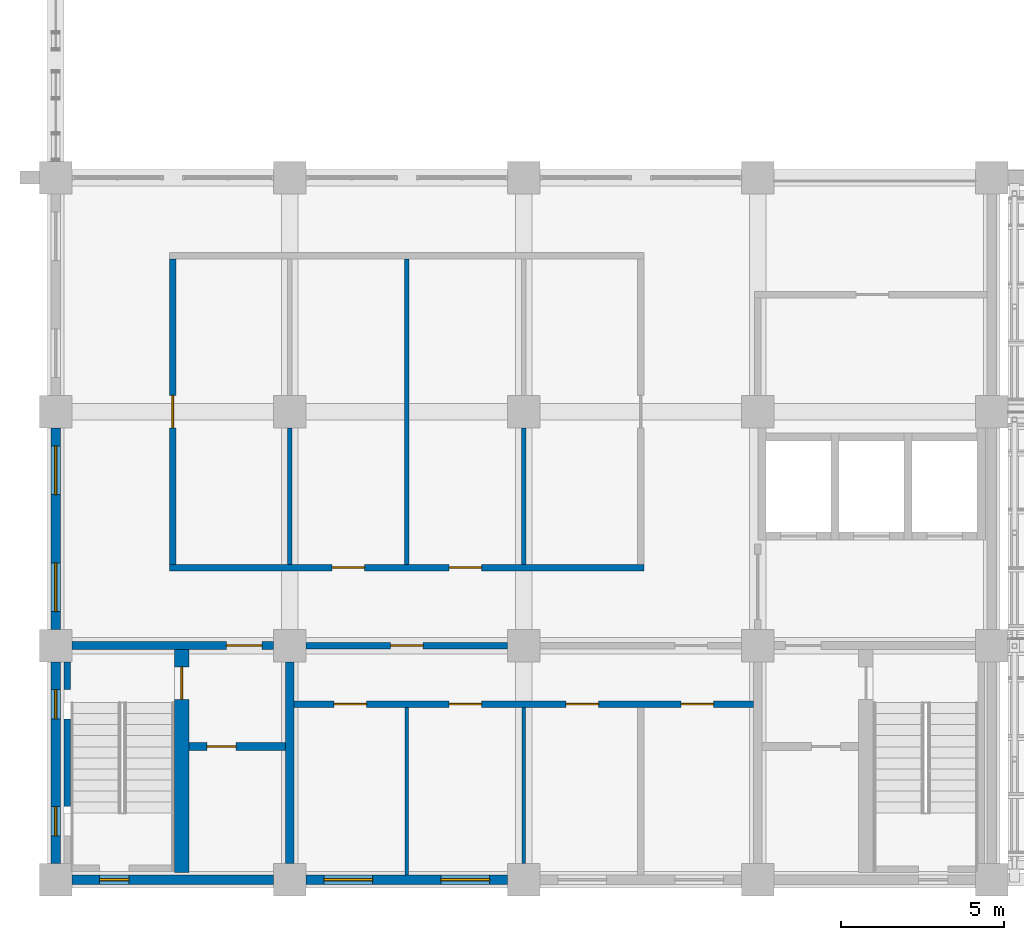
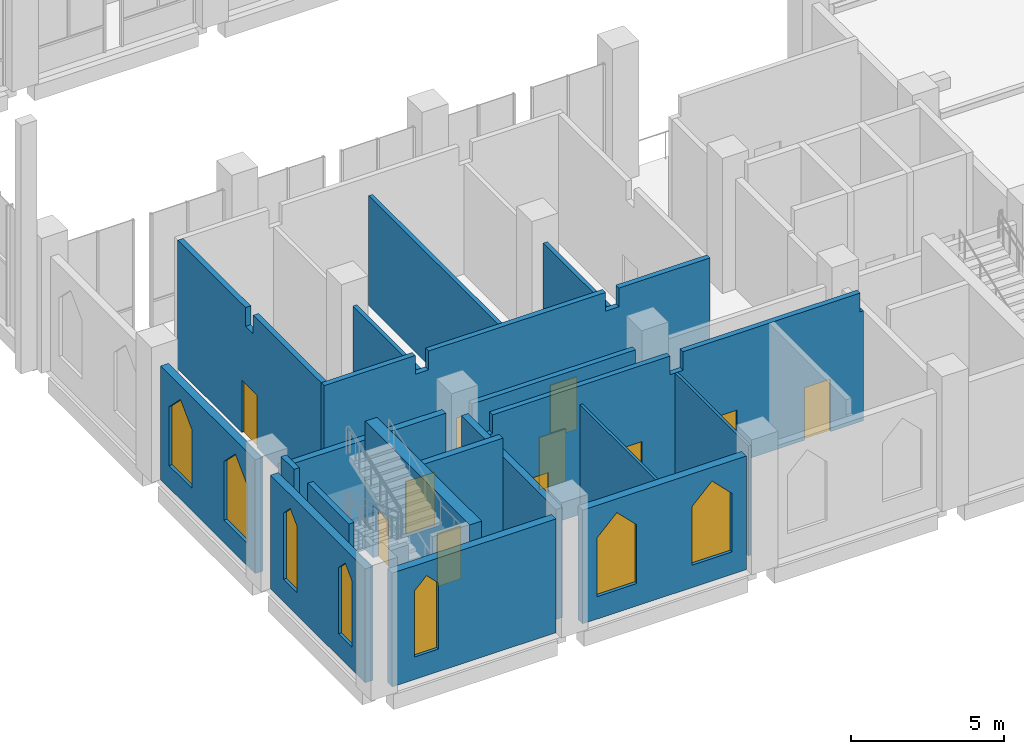
# One storey, part 69 of 83: 19 walls, 11 doors, 7 windows, 18 openings.
"""IFC4 building model written with IfcOpenShell, lengths in metres."""

import ifcopenshell
import ifcopenshell.guid

model = None  # the IFC model being written
_history = None  # IfcOwnerHistory: only IFC2X3 demands one
_inside = {}  # id of a spatial element -> (the spatial element, [elements in it])
_under = {}  # id of a project, library or spatial element -> (it, [spatial elements below it])
_declared = {}  # id of a project -> (the project, [libraries it declares])
_typed = {}  # id of a type object -> (the type object, [elements of that type])
_made_of = {}  # id of a material, layer set ... -> (it, [elements and type objects made of it])


def new_model(schema):
    """Start an empty IFC model of exactly this schema.

    Asked for "IFC4X3", IfcOpenShell would pick the latest addendum, in which some entities
    have other attributes; the version numbers below select the first issue.
    IFC2X3 requires an IfcOwnerHistory on every rooted entity: one is made here for all.
    """
    global model, _history
    if schema == "IFC4X3":
        model = ifcopenshell.file(schema_version=(4, 3, 0, 0))
    else:
        model = ifcopenshell.file(schema=schema)
    _inside.clear()
    _under.clear()
    _declared.clear()
    _typed.clear()
    _made_of.clear()
    _history = None
    if model.schema == "IFC2X3":
        org = make("IfcOrganization", Name="unknown")
        user = make(
            "IfcPersonAndOrganization",
            ThePerson=make("IfcPerson", FamilyName="unknown"),
            TheOrganization=org,
        )
        app = make(
            "IfcApplication",
            ApplicationDeveloper=org,
            Version="unknown",
            ApplicationFullName="unknown",
            ApplicationIdentifier="unknown",
        )
        _history = make(
            "IfcOwnerHistory",
            OwningUser=user,
            OwningApplication=app,
            ChangeAction="ADDED",
            CreationDate=0,
        )
    return model


def make(cls, **values):
    """One entity of the class cls with the attributes given. An attribute that is None is left unset."""
    return model.create_entity(
        cls, **{name: value for name, value in values.items() if value is not None}
    )


def rooted(cls, **values):
    """An entity with a GlobalId (a new one), such as an element, a storey or a relation."""
    return make(cls, GlobalId=ifcopenshell.guid.new(), OwnerHistory=_history, **values)


def si_unit(unit_type, name, prefix=None):
    """IfcSIUnit, for example si_unit("LENGTHUNIT", "METRE", prefix="MILLI")."""
    return make("IfcSIUnit", UnitType=unit_type, Prefix=prefix, Name=name)


def assignment(units):
    """IfcUnitAssignment: the units of a project."""
    return None if units is None else make("IfcUnitAssignment", Units=units)


def point(xyz):
    """IfcCartesianPoint."""
    return None if xyz is None else make("IfcCartesianPoint", Coordinates=xyz)


def direction(xyz):
    """IfcDirection."""
    return None if xyz is None else make("IfcDirection", DirectionRatios=xyz)


def frame(location, z_axis=None, x_axis=None):
    """IfcAxis2Placement3D, a coordinate frame: its origin and axes. An axis left out is left unset."""
    return make(
        "IfcAxis2Placement3D",
        Location=point(location),
        Axis=direction(z_axis),
        RefDirection=direction(x_axis),
    )


def frame_2d(location, x_axis=None):
    """IfcAxis2Placement2D, a coordinate frame in the plane: its origin and x axis."""
    return make(
        "IfcAxis2Placement2D", Location=point(location), RefDirection=direction(x_axis)
    )


def origin():
    """The frame at (0, 0, 0) with its axes left unset."""
    return frame((0.0, 0.0, 0.0))


def place(relative_to, where):
    """IfcLocalPlacement: puts the frame where relative to a parent placement (None: the world)."""
    return make(
        "IfcLocalPlacement", PlacementRelTo=relative_to, RelativePlacement=where
    )


def context(
    kind, dimensions, precision=None, world=None, true_north=None, identifier=None
):
    """IfcGeometricRepresentationContext, for example the 3D "Model" context."""
    return make(
        "IfcGeometricRepresentationContext",
        ContextIdentifier=identifier,
        ContextType=kind,
        CoordinateSpaceDimension=dimensions,
        Precision=precision,
        WorldCoordinateSystem=world,
        TrueNorth=true_north,
    )


def subcontext(parent, identifier, kind, view, scale=None):
    """IfcGeometricRepresentationSubContext, for example "Body" below "Model"."""
    return make(
        "IfcGeometricRepresentationSubContext",
        ContextIdentifier=identifier,
        ContextType=kind,
        ParentContext=parent,
        TargetScale=scale,
        TargetView=view,
    )


def project(units=None, contexts=None):
    """IfcProject with its units and contexts."""
    return rooted(
        "IfcProject",
        Name="project",
        RepresentationContexts=contexts,
        UnitsInContext=assignment(units),
    )


def spatial(cls, under=None, at=None, **own):
    """A site, building, storey or space (cls), placed at a placement, below another one or the project."""
    s = rooted(cls, ObjectPlacement=at, **own)
    if under is not None:
        _under.setdefault(under.id(), (under, []))[1].append(s)
    return s


def polyline(points):
    """IfcPolyline through the points."""
    return make("IfcPolyline", Points=[point(p) for p in points])


def profile(cls, at=None, kind="AREA", **sizes):
    """A parametric profile (cls). Its sizes go by their IFC names, for example OverallWidth=200.0."""
    return make(cls, ProfileType=kind, Position=at, **sizes)


def rectangle(**sizes):
    """IfcRectangleProfileDef."""
    return profile("IfcRectangleProfileDef", **sizes)


def outline(outer, holes=None, kind="AREA"):
    """IfcArbitraryClosedProfileDef: a profile drawn as a closed curve; with holes, ...WithVoids."""
    if holes is None:
        return make("IfcArbitraryClosedProfileDef", ProfileType=kind, OuterCurve=outer)
    return make(
        "IfcArbitraryProfileDefWithVoids",
        ProfileType=kind,
        OuterCurve=outer,
        InnerCurves=holes,
    )


def extrude(swept, where, along, depth):
    """IfcExtrudedAreaSolid: the profile swept, set in the frame where, extruded along a direction by depth."""
    return make(
        "IfcExtrudedAreaSolid",
        SweptArea=swept,
        Position=where,
        ExtrudedDirection=direction(along),
        Depth=depth,
    )


def shape(context_of_items, identifier, shape_type, items):
    """IfcShapeRepresentation: the items that make up one representation, for example the "Body"."""
    return make(
        "IfcShapeRepresentation",
        ContextOfItems=context_of_items,
        RepresentationIdentifier=identifier,
        RepresentationType=shape_type,
        Items=items,
    )


def material(Name=None, Category=None):
    """IfcMaterial."""
    return make("IfcMaterial", Name=Name, Category=Category)


def layer(
    of_material, thickness, ventilated=None, Name=None, Category=None, Priority=None
):
    """IfcMaterialLayer: one layer of a wall or slab, of a material (None: an air gap)."""
    return make(
        "IfcMaterialLayer",
        Material=of_material,
        LayerThickness=thickness,
        IsVentilated=ventilated,
        Name=Name,
        Category=Category,
        Priority=Priority,
    )


def layer_set(layers, Name=None):
    """IfcMaterialLayerSet."""
    return make("IfcMaterialLayerSet", MaterialLayers=layers, LayerSetName=Name)


def made_of(thing, what):
    """Note that an element or type object is made of a material, layer set ...; save() writes the relation."""
    if what is not None:
        _made_of.setdefault(what.id(), (what, []))[1].append(thing)
    return thing


def type_object(cls, material=None, **own):
    """A type object (cls), such as IfcWallType, which elements share."""
    return made_of(rooted(cls, **own), material)


def element(
    cls,
    number,
    at=None,
    inside=None,
    cuts=None,
    type_object=None,
    material=None,
    context=None,
    identifier="Body",
    shape_type=None,
    held_by="IfcProductDefinitionShape",
    body=None,
    shapes=None,
    **own,
):
    """One element of the class cls, such as IfcWall. Its Tag is "e" and its number.

    at: its placement. inside: the storey or other place that contains it. cuts: it is an
    opening in that element (IfcRelVoidsElement). A single representation is given by context,
    identifier, shape_type and body (its items); several are given by shapes. held_by: the class
    of the entity that holds the representations. save() writes the other relations.
    """
    e = rooted(cls, Tag="e%d" % number, ObjectPlacement=at, **own)
    if body is not None:
        shapes = [shape(context, identifier, shape_type, body)]
    if shapes is not None:
        e.Representation = make(held_by, Representations=shapes)
    if inside is not None:
        _inside.setdefault(inside.id(), (inside, []))[1].append(e)
    if cuts is not None:
        rooted(
            "IfcRelVoidsElement", RelatingBuildingElement=cuts, RelatedOpeningElement=e
        )
    if type_object is not None:
        _typed.setdefault(type_object.id(), (type_object, []))[1].append(e)
    return made_of(e, material)


def fill(opening, filler):
    """IfcRelFillsElement: the door or window that sits in an opening."""
    return rooted(
        "IfcRelFillsElement",
        RelatingOpeningElement=opening,
        RelatedBuildingElement=filler,
    )


def aggregate(whole, parts):
    """IfcRelAggregates: a whole, such as a stair, and the parts it consists of."""
    return rooted("IfcRelAggregates", RelatingObject=whole, RelatedObjects=parts)


def save(model, path):
    """Write the relations noted so far, then the file.

    IfcRelAggregates (storeys below a building ...), IfcRelContainedInSpatialStructure (elements
    in a storey), IfcRelDefinesByType, IfcRelAssociatesMaterial and IfcRelDeclares: one each for
    every whole, place, type object, material and project.
    """
    for whole, parts in _under.values():
        aggregate(whole, parts)
    for where, things in _inside.values():
        rooted(
            "IfcRelContainedInSpatialStructure",
            RelatedElements=things,
            RelatingStructure=where,
        )
    for kind, things in _typed.values():
        rooted("IfcRelDefinesByType", RelatedObjects=things, RelatingType=kind)
    for what, things in _made_of.values():
        rooted("IfcRelAssociatesMaterial", RelatedObjects=things, RelatingMaterial=what)
    for by, libraries in _declared.values():
        rooted("IfcRelDeclares", RelatingContext=by, RelatedDefinitions=libraries)
    model.write(path)


model = new_model("IFC4")

# Units and contexts
model_context = context("Model", 3, precision=1e-05, world=origin(), true_north=direction((0.0, 1.0)))
body_context = subcontext(model_context, "Body", "Model", "MODEL_VIEW")
ifc_project = project(units=[si_unit("LENGTHUNIT", "METRE"), si_unit("AREAUNIT", "SQUARE_METRE"), si_unit("VOLUMEUNIT", "CUBIC_METRE"), si_unit("PLANEANGLEUNIT", "RADIAN"), si_unit("MASSUNIT", "GRAM", prefix="KILO")], contexts=[model_context])

# Site, building, storey
site_placement = place(None, origin())
site = spatial("IfcSite", under=ifc_project, at=site_placement, CompositionType="ELEMENT")
building_placement = place(site_placement, origin())
building = spatial("IfcBuilding", under=site, at=building_placement, Name="Silangan Lancet Faculty of Sciences", CompositionType="ELEMENT")
storey_placement = place(building_placement, frame((0.0, 0.0, 11.39990234375)))
storey = spatial("IfcBuildingStorey", under=building, at=storey_placement, Name="L02", CompositionType="ELEMENT", Elevation=11.39990234375)

# Wall, openings, windows
ifc_material_1 = material(Name="Concrete C40/50 precast", Category="concrete")
ifc_layer_1 = layer(ifc_material_1, 0.300048828125)
ifc_layer_set_1 = layer_set([ifc_layer_1], Name="Concrete C40/50 precast")
wall_type_1 = type_object("IfcWallType", Name="EW2 Turret enclosure wall", PredefinedType="STANDARD", material=ifc_layer_set_1)
wall_1_placement = place(storey_placement, frame((0.0, 0.5, 0.0), z_axis=(0.0, 0.0, 1.0), x_axis=(0.0, 1.0, 0.0)))
wall_1 = element("IfcWall", 1, at=wall_1_placement, inside=storey, type_object=wall_type_1, Name="EW-L02-W-ST-00", PredefinedType="STANDARD", context=body_context, shape_type="SweptSolid", body=[
    extrude(rectangle(XDim=6.199951171875, YDim=0.300048828125, at=frame_2d((3.10009765625, 0.0))), origin(), (0.0, 0.0, 1.0), 4.550048828125),
])
opening_1_placement = place(wall_1_placement, frame((0.85009765625, 0.0, 0.89990234375)))
opening_1 = element("IfcOpeningElement", 2, at=opening_1_placement, cuts=wall_1, Name="Opening W8", PredefinedType="OPENING", context=body_context, shape_type="SweptSolid", body=[
    extrude(outline(polyline([(0.0, 0.0), (0.89990234375, 0.0), (0.89990234375, 2.650146484375), (0.449951171875, 3.10009765625), (0.0, 2.650146484375), (0.0, 0.0)])), frame((0.0, 0.159912109375, 0.0), z_axis=(0.0, -1.0, 0.0), x_axis=(1.0, 0.0, 0.0)), (0.0, 0.0, 1.0), 0.320068359375),
])
opening_2_placement = place(wall_1_placement, frame((4.449951171875, 0.0, 0.89990234375)))
opening_2 = element("IfcOpeningElement", 3, at=opening_2_placement, cuts=wall_1, Name="Opening W8", PredefinedType="OPENING", context=body_context, shape_type="SweptSolid", body=[
    extrude(outline(polyline([(0.0, 0.0), (0.89990234375, 0.0), (0.89990234375, 2.650146484375), (0.449951171875, 3.10009765625), (0.0, 2.650146484375), (0.0, 0.0)])), frame((0.0, 0.159912109375, 0.0), z_axis=(0.0, -1.0, 0.0), x_axis=(1.0, 0.0, 0.0)), (0.0, 0.0, 1.0), 0.320068359375),
])
ifc_material_2 = material(Name="Aluminium frame, laminated double glazing", Category="aluminium")
window_type_1 = type_object("IfcWindowType", Name="W8 Lancet window 900 x 3100", PartitioningType="SINGLE_PANEL", PredefinedType="WINDOW", material=ifc_material_2)
window_1_placement = place(opening_1_placement, origin())
window_1 = element("IfcWindow", 4, at=window_1_placement, inside=storey, type_object=window_type_1, Name="WIN-L02-W-ST-00a", OverallHeight=3.10009765625, OverallWidth=0.89990234375, PartitioningType="SINGLE_PANEL", PredefinedType="WINDOW", context=body_context, shape_type="SweptSolid", body=[
    extrude(outline(polyline([(0.0, 0.0), (0.89990234375, 0.0), (0.89990234375, 2.650146484375), (0.449951171875, 3.10009765625), (0.0, 2.650146484375), (0.0, 0.0)])), frame((0.0, 0.030029296875, 0.0), z_axis=(0.0, -1.0, 0.0), x_axis=(1.0, 0.0, 0.0)), (0.0, 0.0, 1.0), 0.06005859375),
])
fill(opening_1, window_1)
window_2_placement = place(opening_2_placement, origin())
window_2 = element("IfcWindow", 5, at=window_2_placement, inside=storey, type_object=window_type_1, Name="WIN-L02-W-ST-00b", OverallHeight=3.10009765625, OverallWidth=0.89990234375, PartitioningType="SINGLE_PANEL", PredefinedType="WINDOW", context=body_context, shape_type="SweptSolid", body=[
    extrude(outline(polyline([(0.0, 0.0), (0.89990234375, 0.0), (0.89990234375, 2.650146484375), (0.449951171875, 3.10009765625), (0.0, 2.650146484375), (0.0, 0.0)])), frame((0.0, 0.030029296875, 0.0), z_axis=(0.0, -1.0, 0.0), x_axis=(1.0, 0.0, 0.0)), (0.0, 0.0, 1.0), 0.06005859375),
])
fill(opening_2, window_2)

# Wall, opening, window
wall_2_placement = place(storey_placement, frame((0.5, 0.0, 0.0), z_axis=(0.0, 0.0, 1.0), x_axis=(1.0, 0.0, 0.0)))
wall_2 = element("IfcWall", 6, at=wall_2_placement, inside=storey, type_object=wall_type_1, Name="EW-L02-S-ST-00", PredefinedType="STANDARD", context=body_context, shape_type="SweptSolid", body=[
    extrude(rectangle(XDim=6.199951171875, YDim=0.300048828125, at=frame_2d((3.10009765625, 0.0))), origin(), (0.0, 0.0, 1.0), 4.550048828125),
])
opening_3_placement = place(wall_2_placement, frame((0.85009765625, 0.0, 0.89990234375)))
opening_3 = element("IfcOpeningElement", 7, at=opening_3_placement, cuts=wall_2, Name="Opening W8", PredefinedType="OPENING", context=body_context, shape_type="SweptSolid", body=[
    extrude(outline(polyline([(0.0, 0.0), (0.89990234375, 0.0), (0.89990234375, 2.650146484375), (0.449951171875, 3.10009765625), (0.0, 2.650146484375), (0.0, 0.0)])), frame((0.0, 0.159912109375, 0.0), z_axis=(0.0, -1.0, 0.0), x_axis=(1.0, 0.0, 0.0)), (0.0, 0.0, 1.0), 0.320068359375),
])
window_3_placement = place(opening_3_placement, origin())
window_3 = element("IfcWindow", 8, at=window_3_placement, inside=storey, type_object=window_type_1, Name="WIN-L02-S-ST-00a", OverallHeight=3.10009765625, OverallWidth=0.89990234375, PartitioningType="SINGLE_PANEL", PredefinedType="WINDOW", context=body_context, shape_type="SweptSolid", body=[
    extrude(outline(polyline([(0.0, 0.0), (0.89990234375, 0.0), (0.89990234375, 2.650146484375), (0.449951171875, 3.10009765625), (0.0, 2.650146484375), (0.0, 0.0)])), frame((0.0, 0.030029296875, 0.0), z_axis=(0.0, -1.0, 0.0), x_axis=(1.0, 0.0, 0.0)), (0.0, 0.0, 1.0), 0.06005859375),
])
fill(opening_3, window_3)

# Wall, openings, windows
ifc_material_3 = material(Name="Concrete C40/50", Category="concrete")
ifc_layer_2 = layer(ifc_material_3, 0.300048828125)
ifc_layer_set_2 = layer_set([ifc_layer_2], Name="Concrete C40/50")
wall_type_2 = type_object("IfcWallType", Name="EW6 Stone-faced base wall", PredefinedType="STANDARD", material=ifc_layer_set_2)
wall_3_placement = place(storey_placement, frame((0.0, 7.699951171875, 0.0), z_axis=(0.0, 0.0, 1.0), x_axis=(0.0, 1.0, 0.0)))
wall_3 = element("IfcWall", 9, at=wall_3_placement, inside=storey, type_object=wall_type_2, Name="EW-L02-W-ST-01", PredefinedType="STANDARD", context=body_context, shape_type="SweptSolid", body=[
    extrude(rectangle(XDim=6.199951171875, YDim=0.300048828125, at=frame_2d((3.10009765625, 0.0))), origin(), (0.0, 0.0, 1.0), 4.550048828125),
])
opening_4_placement = place(wall_3_placement, frame((0.550048828125, 0.0, 0.89990234375)))
opening_4 = element("IfcOpeningElement", 10, at=opening_4_placement, cuts=wall_3, Name="Opening W10", PredefinedType="OPENING", context=body_context, shape_type="SweptSolid", body=[
    extrude(outline(polyline([(0.0, 0.0), (1.5, 0.0), (1.5, 2.35009765625), (0.75, 3.10009765625), (0.0, 2.35009765625), (0.0, 0.0)])), frame((0.0, 0.159912109375, 0.0), z_axis=(0.0, -1.0, 0.0), x_axis=(1.0, 0.0, 0.0)), (0.0, 0.0, 1.0), 0.320068359375),
])
opening_5_placement = place(wall_3_placement, frame((4.14990234375, 0.0, 0.89990234375)))
opening_5 = element("IfcOpeningElement", 11, at=opening_5_placement, cuts=wall_3, Name="Opening W10", PredefinedType="OPENING", context=body_context, shape_type="SweptSolid", body=[
    extrude(outline(polyline([(0.0, 0.0), (1.5, 0.0), (1.5, 2.35009765625), (0.75, 3.10009765625), (0.0, 2.35009765625), (0.0, 0.0)])), frame((0.0, 0.159912109375, 0.0), z_axis=(0.0, -1.0, 0.0), x_axis=(1.0, 0.0, 0.0)), (0.0, 0.0, 1.0), 0.320068359375),
])
ifc_material_4 = material(Name="Aluminium frame, laminated double glazing", Category="aluminium")
window_type_2 = type_object("IfcWindowType", Name="W10 Lancet window 1500 x 3100", PartitioningType="SINGLE_PANEL", PredefinedType="WINDOW", material=ifc_material_4)
window_4_placement = place(opening_4_placement, origin())
window_4 = element("IfcWindow", 12, at=window_4_placement, inside=storey, type_object=window_type_2, Name="WIN-L02-W-ST-01a", OverallHeight=3.10009765625, OverallWidth=1.5, PartitioningType="SINGLE_PANEL", PredefinedType="WINDOW", context=body_context, shape_type="SweptSolid", body=[
    extrude(outline(polyline([(0.0, 0.0), (1.5, 0.0), (1.5, 2.35009765625), (0.75, 3.10009765625), (0.0, 2.35009765625), (0.0, 0.0)])), frame((0.0, 0.030029296875, 0.0), z_axis=(0.0, -1.0, 0.0), x_axis=(1.0, 0.0, 0.0)), (0.0, 0.0, 1.0), 0.06005859375),
])
fill(opening_4, window_4)
window_5_placement = place(opening_5_placement, origin())
window_5 = element("IfcWindow", 13, at=window_5_placement, inside=storey, type_object=window_type_2, Name="WIN-L02-W-ST-01b", OverallHeight=3.10009765625, OverallWidth=1.5, PartitioningType="SINGLE_PANEL", PredefinedType="WINDOW", context=body_context, shape_type="SweptSolid", body=[
    extrude(outline(polyline([(0.0, 0.0), (1.5, 0.0), (1.5, 2.35009765625), (0.75, 3.10009765625), (0.0, 2.35009765625), (0.0, 0.0)])), frame((0.0, 0.030029296875, 0.0), z_axis=(0.0, -1.0, 0.0), x_axis=(1.0, 0.0, 0.0)), (0.0, 0.0, 1.0), 0.06005859375),
])
fill(opening_5, window_5)

wall_4_placement = place(storey_placement, frame((7.699951171875, 0.0, 0.0), z_axis=(0.0, 0.0, 1.0), x_axis=(1.0, 0.0, 0.0)))
wall_4 = element("IfcWall", 14, at=wall_4_placement, inside=storey, type_object=wall_type_2, Name="EW-L02-S-ST-01", PredefinedType="STANDARD", context=body_context, shape_type="SweptSolid", body=[
    extrude(rectangle(XDim=6.199951171875, YDim=0.300048828125, at=frame_2d((3.10009765625, 0.0))), origin(), (0.0, 0.0, 1.0), 4.550048828125),
])
opening_6_placement = place(wall_4_placement, frame((0.550048828125, 0.0, 0.89990234375)))
opening_6 = element("IfcOpeningElement", 15, at=opening_6_placement, cuts=wall_4, Name="Opening W10", PredefinedType="OPENING", context=body_context, shape_type="SweptSolid", body=[
    extrude(outline(polyline([(0.0, 0.0), (1.5, 0.0), (1.5, 2.35009765625), (0.75, 3.10009765625), (0.0, 2.35009765625), (0.0, 0.0)])), frame((0.0, 0.159912109375, 0.0), z_axis=(0.0, -1.0, 0.0), x_axis=(1.0, 0.0, 0.0)), (0.0, 0.0, 1.0), 0.320068359375),
])
opening_7_placement = place(wall_4_placement, frame((4.14990234375, 0.0, 0.89990234375)))
opening_7 = element("IfcOpeningElement", 16, at=opening_7_placement, cuts=wall_4, Name="Opening W10", PredefinedType="OPENING", context=body_context, shape_type="SweptSolid", body=[
    extrude(outline(polyline([(0.0, 0.0), (1.5, 0.0), (1.5, 2.35009765625), (0.75, 3.10009765625), (0.0, 2.35009765625), (0.0, 0.0)])), frame((0.0, 0.159912109375, 0.0), z_axis=(0.0, -1.0, 0.0), x_axis=(1.0, 0.0, 0.0)), (0.0, 0.0, 1.0), 0.320068359375),
])
window_6_placement = place(opening_6_placement, origin())
window_6 = element("IfcWindow", 17, at=window_6_placement, inside=storey, type_object=window_type_2, Name="WIN-L02-S-ST-01a", OverallHeight=3.10009765625, OverallWidth=1.5, PartitioningType="SINGLE_PANEL", PredefinedType="WINDOW", context=body_context, shape_type="SweptSolid", body=[
    extrude(outline(polyline([(0.0, 0.0), (1.5, 0.0), (1.5, 2.35009765625), (0.75, 3.10009765625), (0.0, 2.35009765625), (0.0, 0.0)])), frame((0.0, 0.030029296875, 0.0), z_axis=(0.0, -1.0, 0.0), x_axis=(1.0, 0.0, 0.0)), (0.0, 0.0, 1.0), 0.06005859375),
])
fill(opening_6, window_6)
window_7_placement = place(opening_7_placement, origin())
window_7 = element("IfcWindow", 18, at=window_7_placement, inside=storey, type_object=window_type_2, Name="WIN-L02-S-ST-01b", OverallHeight=3.10009765625, OverallWidth=1.5, PartitioningType="SINGLE_PANEL", PredefinedType="WINDOW", context=body_context, shape_type="SweptSolid", body=[
    extrude(outline(polyline([(0.0, 0.0), (1.5, 0.0), (1.5, 2.35009765625), (0.75, 3.10009765625), (0.0, 2.35009765625), (0.0, 0.0)])), frame((0.0, 0.030029296875, 0.0), z_axis=(0.0, -1.0, 0.0), x_axis=(1.0, 0.0, 0.0)), (0.0, 0.0, 1.0), 0.06005859375),
])
fill(opening_7, window_7)

# Wall, openings, doors
ifc_material_5 = material(Name="Hollow block masonry fm 7 MPa", Category="masonry")
ifc_layer_3 = layer(ifc_material_5, 0.199951171875)
ifc_layer_set_3 = layer_set([ifc_layer_3], Name="Hollow block masonry fm 7 MPa")
wall_type_3 = type_object("IfcWallType", Name="Interior wall PW1 Corridor wall CHB 200", PredefinedType="PARTITIONING", material=ifc_layer_set_3)
wall_5_placement = place(storey_placement, frame((7.324951171875, 5.39990234375, 0.0), z_axis=(0.0, 0.0, 1.0), x_axis=(1.0, 0.0, 0.0)))
wall_5 = element("IfcWall", 19, at=wall_5_placement, inside=storey, type_object=wall_type_3, Name="Corridor wall CHB 200", PredefinedType="PARTITIONING", context=body_context, shape_type="SweptSolid", body=[
    extrude(outline(polyline([(0.0, 0.0), (14.150146484375, 0.0), (14.150146484375, 4.400146484375), (14.02490234375, 4.400146484375), (14.02490234375, 5.150146484375), (7.324951171875, 5.150146484375), (7.324951171875, 4.400146484375), (6.824951171875, 4.400146484375), (6.824951171875, 5.150146484375), (0.125, 5.150146484375), (0.125, 4.400146484375), (0.0, 4.400146484375), (0.0, 0.0)])), frame((0.0, 0.10009765625, 0.0), z_axis=(0.0, -1.0, 0.0), x_axis=(1.0, 0.0, 0.0)), (0.0, 0.0, 1.0), 0.199951171875),
])
opening_8_placement = place(wall_5_placement, frame((1.237548828125, 0.0, 0.0)))
opening_8 = element("IfcOpeningElement", 20, at=opening_8_placement, cuts=wall_5, Name="Opening L02-009", PredefinedType="OPENING", context=body_context, shape_type="SweptSolid", body=[
    extrude(rectangle(XDim=1.0, YDim=2.10009765625, at=frame_2d((0.5, 1.050048828125))), frame((0.0, 0.10986328125, 0.0), z_axis=(0.0, -1.0, 0.0), x_axis=(1.0, 0.0, 0.0)), (0.0, 0.0, 1.0), 0.219970703125),
])
opening_9_placement = place(wall_5_placement, frame((4.77490234375, 0.0, 0.0)))
opening_9 = element("IfcOpeningElement", 21, at=opening_9_placement, cuts=wall_5, Name="Opening L02-010", PredefinedType="OPENING", context=body_context, shape_type="SweptSolid", body=[
    extrude(rectangle(XDim=1.0, YDim=2.10009765625, at=frame_2d((0.5, 1.050048828125))), frame((0.0, 0.10986328125, 0.0), z_axis=(0.0, -1.0, 0.0), x_axis=(1.0, 0.0, 0.0)), (0.0, 0.0, 1.0), 0.219970703125),
])
opening_10_placement = place(wall_5_placement, frame((8.375, 0.0, 0.0)))
opening_10 = element("IfcOpeningElement", 22, at=opening_10_placement, cuts=wall_5, Name="Opening L02-011", PredefinedType="OPENING", context=body_context, shape_type="SweptSolid", body=[
    extrude(rectangle(XDim=1.0, YDim=2.10009765625, at=frame_2d((0.5, 1.050048828125))), frame((0.0, 0.10986328125, 0.0), z_axis=(0.0, -1.0, 0.0), x_axis=(1.0, 0.0, 0.0)), (0.0, 0.0, 1.0), 0.219970703125),
])
opening_11_placement = place(wall_5_placement, frame((11.91259765625, 0.0, 0.0)))
opening_11 = element("IfcOpeningElement", 23, at=opening_11_placement, cuts=wall_5, Name="Opening L02-012", PredefinedType="OPENING", context=body_context, shape_type="SweptSolid", body=[
    extrude(rectangle(XDim=1.0, YDim=2.10009765625, at=frame_2d((0.5, 1.050048828125))), frame((0.0, 0.10986328125, 0.0), z_axis=(0.0, -1.0, 0.0), x_axis=(1.0, 0.0, 0.0)), (0.0, 0.0, 1.0), 0.219970703125),
])
ifc_material_6 = material(Name="Steel fire door set", Category="steel")
door_type_1 = type_object("IfcDoorType", Name="Door D1 Single leaf fire door 1000 x 2100", OperationType="SINGLE_SWING_LEFT", PredefinedType="DOOR", material=ifc_material_6)
door_1_placement = place(opening_8_placement, frame((1.0, 0.0, 0.0), z_axis=(0.0, 0.0, 1.0), x_axis=(-1.0, 0.0, 0.0)))
door_1 = element("IfcDoor", 24, at=door_1_placement, inside=storey, type_object=door_type_1, Name="Single leaf fire door 1000 x 2100", OperationType="SINGLE_SWING_RIGHT", OverallHeight=2.10009765625, OverallWidth=1.0, PredefinedType="DOOR", context=body_context, shape_type="SweptSolid", body=[
    extrude(rectangle(XDim=1.0, YDim=2.10009765625, at=frame_2d((0.5, 1.050048828125))), frame((0.0, 0.025146484375, 0.0), z_axis=(0.0, -1.0, 0.0), x_axis=(1.0, 0.0, 0.0)), (0.0, 0.0, 1.0), 0.050048828125),
])
fill(opening_8, door_1)
door_2_placement = place(opening_9_placement, frame((1.0, 0.0, 0.0), z_axis=(0.0, 0.0, 1.0), x_axis=(-1.0, 0.0, 0.0)))
door_2 = element("IfcDoor", 25, at=door_2_placement, inside=storey, type_object=door_type_1, Name="Single leaf fire door 1000 x 2100", OperationType="SINGLE_SWING_LEFT", OverallHeight=2.10009765625, OverallWidth=1.0, PredefinedType="DOOR", context=body_context, shape_type="SweptSolid", body=[
    extrude(rectangle(XDim=1.0, YDim=2.10009765625, at=frame_2d((0.5, 1.050048828125))), frame((0.0, 0.025146484375, 0.0), z_axis=(0.0, -1.0, 0.0), x_axis=(1.0, 0.0, 0.0)), (0.0, 0.0, 1.0), 0.050048828125),
])
fill(opening_9, door_2)
door_3_placement = place(opening_10_placement, frame((1.0, 0.0, 0.0), z_axis=(0.0, 0.0, 1.0), x_axis=(-1.0, 0.0, 0.0)))
door_3 = element("IfcDoor", 26, at=door_3_placement, inside=storey, type_object=door_type_1, Name="Single leaf fire door 1000 x 2100", OperationType="SINGLE_SWING_RIGHT", OverallHeight=2.10009765625, OverallWidth=1.0, PredefinedType="DOOR", context=body_context, shape_type="SweptSolid", body=[
    extrude(rectangle(XDim=1.0, YDim=2.10009765625, at=frame_2d((0.5, 1.050048828125))), frame((0.0, 0.025146484375, 0.0), z_axis=(0.0, -1.0, 0.0), x_axis=(1.0, 0.0, 0.0)), (0.0, 0.0, 1.0), 0.050048828125),
])
fill(opening_10, door_3)
door_4_placement = place(opening_11_placement, frame((1.0, 0.0, 0.0), z_axis=(0.0, 0.0, 1.0), x_axis=(-1.0, 0.0, 0.0)))
door_4 = element("IfcDoor", 27, at=door_4_placement, inside=storey, type_object=door_type_1, Name="Single leaf fire door 1000 x 2100", OperationType="SINGLE_SWING_LEFT", OverallHeight=2.10009765625, OverallWidth=1.0, PredefinedType="DOOR", context=body_context, shape_type="SweptSolid", body=[
    extrude(rectangle(XDim=1.0, YDim=2.10009765625, at=frame_2d((0.5, 1.050048828125))), frame((0.0, 0.025146484375, 0.0), z_axis=(0.0, -1.0, 0.0), x_axis=(1.0, 0.0, 0.0)), (0.0, 0.0, 1.0), 0.050048828125),
])
fill(opening_11, door_4)

# Wall, opening, door
wall_6_placement = place(storey_placement, frame((7.699951171875, 7.199951171875, 0.0), z_axis=(0.0, 0.0, 1.0), x_axis=(1.0, 0.0, 0.0)))
wall_6 = element("IfcWall", 28, at=wall_6_placement, inside=storey, type_object=wall_type_3, Name="Corridor wall CHB 200", PredefinedType="PARTITIONING", context=body_context, shape_type="SweptSolid", body=[
    extrude(rectangle(XDim=6.199951171875, YDim=0.199951171875, at=frame_2d((3.10009765625, 0.0))), origin(), (0.0, 0.0, 1.0), 4.400146484375),
])
opening_12_placement = place(wall_6_placement, frame((2.599853515625, 0.0, 0.0)))
opening_12 = element("IfcOpeningElement", 29, at=opening_12_placement, cuts=wall_6, Name="Opening L02-002", PredefinedType="OPENING", context=body_context, shape_type="SweptSolid", body=[
    extrude(rectangle(XDim=1.0, YDim=2.10009765625, at=frame_2d((0.5, 1.050048828125))), frame((0.0, 0.10986328125, 0.0), z_axis=(0.0, -1.0, 0.0), x_axis=(1.0, 0.0, 0.0)), (0.0, 0.0, 1.0), 0.219970703125),
])
door_5_placement = place(opening_12_placement, frame((1.0, 0.0, 0.0), z_axis=(0.0, 0.0, 1.0), x_axis=(-1.0, 0.0, 0.0)))
door_5 = element("IfcDoor", 30, at=door_5_placement, inside=storey, type_object=door_type_1, Name="Single leaf fire door 1000 x 2100", OperationType="SINGLE_SWING_LEFT", OverallHeight=2.10009765625, OverallWidth=1.0, PredefinedType="DOOR", context=body_context, shape_type="SweptSolid", body=[
    extrude(rectangle(XDim=1.0, YDim=2.10009765625, at=frame_2d((0.5, 1.050048828125))), frame((0.0, 0.025146484375, 0.0), z_axis=(0.0, -1.0, 0.0), x_axis=(1.0, 0.0, 0.0)), (0.0, 0.0, 1.0), 0.050048828125),
])
fill(opening_12, door_5)

# Wall, openings, doors
wall_7_placement = place(storey_placement, frame((3.5, 9.60009765625, 0.0), z_axis=(0.0, 0.0, 1.0), x_axis=(1.0, 0.0, 0.0)))
wall_7 = element("IfcWall", 31, at=wall_7_placement, inside=storey, type_object=wall_type_3, Name="Corridor wall CHB 200", PredefinedType="PARTITIONING", context=body_context, shape_type="SweptSolid", body=[
    extrude(outline(polyline([(0.0, 0.0), (14.60009765625, 0.0), (14.60009765625, 5.150146484375), (11.14990234375, 5.150146484375), (11.14990234375, 4.400146484375), (10.64990234375, 4.400146484375), (10.64990234375, 5.150146484375), (3.949951171875, 5.150146484375), (3.949951171875, 4.400146484375), (3.449951171875, 4.400146484375), (3.449951171875, 5.150146484375), (0.0, 5.150146484375), (0.0, 0.0)])), frame((0.0, 0.10009765625, 0.0), z_axis=(0.0, -1.0, 0.0), x_axis=(1.0, 0.0, 0.0)), (0.0, 0.0, 1.0), 0.199951171875),
])
opening_13_placement = place(wall_7_placement, frame((5.0, 0.0, 0.0)))
opening_13 = element("IfcOpeningElement", 32, at=opening_13_placement, cuts=wall_7, Name="Opening L02-014", PredefinedType="OPENING", context=body_context, shape_type="SweptSolid", body=[
    extrude(rectangle(XDim=1.0, YDim=2.10009765625, at=frame_2d((0.5, 1.050048828125))), frame((0.0, 0.10986328125, 0.0), z_axis=(0.0, -1.0, 0.0), x_axis=(1.0, 0.0, 0.0)), (0.0, 0.0, 1.0), 0.219970703125),
])
opening_14_placement = place(wall_7_placement, frame((8.60009765625, 0.0, 0.0)))
opening_14 = element("IfcOpeningElement", 33, at=opening_14_placement, cuts=wall_7, Name="Opening L02-015", PredefinedType="OPENING", context=body_context, shape_type="SweptSolid", body=[
    extrude(rectangle(XDim=1.0, YDim=2.10009765625, at=frame_2d((0.5, 1.050048828125))), frame((0.0, 0.10986328125, 0.0), z_axis=(0.0, -1.0, 0.0), x_axis=(1.0, 0.0, 0.0)), (0.0, 0.0, 1.0), 0.219970703125),
])
door_6_placement = place(opening_13_placement, origin())
door_6 = element("IfcDoor", 34, at=door_6_placement, inside=storey, type_object=door_type_1, Name="Single leaf fire door 1000 x 2100", OperationType="SINGLE_SWING_RIGHT", OverallHeight=2.10009765625, OverallWidth=1.0, PredefinedType="DOOR", context=body_context, shape_type="SweptSolid", body=[
    extrude(rectangle(XDim=1.0, YDim=2.10009765625, at=frame_2d((0.5, 1.050048828125))), frame((0.0, 0.02490234375, 0.0), z_axis=(0.0, -1.0, 0.0), x_axis=(1.0, 0.0, 0.0)), (0.0, 0.0, 1.0), 0.050048828125),
])
fill(opening_13, door_6)
door_7_placement = place(opening_14_placement, origin())
door_7 = element("IfcDoor", 35, at=door_7_placement, inside=storey, type_object=door_type_1, Name="Single leaf fire door 1000 x 2100", OperationType="SINGLE_SWING_LEFT", OverallHeight=2.10009765625, OverallWidth=1.0, PredefinedType="DOOR", context=body_context, shape_type="SweptSolid", body=[
    extrude(rectangle(XDim=1.0, YDim=2.10009765625, at=frame_2d((0.5, 1.050048828125))), frame((0.0, 0.02490234375, 0.0), z_axis=(0.0, -1.0, 0.0), x_axis=(1.0, 0.0, 0.0)), (0.0, 0.0, 1.0), 0.050048828125),
])
fill(opening_14, door_7)

# Wall, opening, door
wall_8_placement = place(storey_placement, frame((3.60009765625, 9.699951171875, 0.0), z_axis=(0.0, 0.0, 1.0), x_axis=(0.0, 1.0, 0.0)))
wall_8 = element("IfcWall", 36, at=wall_8_placement, inside=storey, type_object=wall_type_3, Name="Corridor wall CHB 200", PredefinedType="PARTITIONING", context=body_context, shape_type="SweptSolid", body=[
    extrude(outline(polyline([(0.0, 0.0), (9.400146484375, 0.0), (9.400146484375, 5.150146484375), (4.949951171875, 5.150146484375), (4.949951171875, 4.400146484375), (4.449951171875, 4.400146484375), (4.449951171875, 5.150146484375), (0.0, 5.150146484375), (0.0, 0.0)])), frame((0.0, 0.10009765625, 0.0), z_axis=(0.0, -1.0, 0.0), x_axis=(1.0, 0.0, 0.0)), (0.0, 0.0, 1.0), 0.199951171875),
])
opening_15_placement = place(wall_8_placement, frame((4.199951171875, 0.0, 0.0)))
opening_15 = element("IfcOpeningElement", 37, at=opening_15_placement, cuts=wall_8, Name="Opening L02-013", PredefinedType="OPENING", context=body_context, shape_type="SweptSolid", body=[
    extrude(rectangle(XDim=1.0, YDim=2.10009765625, at=frame_2d((0.5, 1.050048828125))), frame((0.0, 0.10986328125, 0.0), z_axis=(0.0, -1.0, 0.0), x_axis=(1.0, 0.0, 0.0)), (0.0, 0.0, 1.0), 0.219970703125),
])
door_8_placement = place(opening_15_placement, frame((1.0, 0.0, 0.0), z_axis=(0.0, 0.0, 1.0), x_axis=(-1.0, 0.0, 0.0)))
door_8 = element("IfcDoor", 38, at=door_8_placement, inside=storey, type_object=door_type_1, Name="Single leaf fire door 1000 x 2100", OperationType="SINGLE_SWING_RIGHT", OverallHeight=2.10009765625, OverallWidth=1.0, PredefinedType="DOOR", context=body_context, shape_type="SweptSolid", body=[
    extrude(rectangle(XDim=1.0, YDim=2.10009765625, at=frame_2d((0.5, 1.050048828125))), frame((0.0, 0.025146484375, 0.0), z_axis=(0.0, -1.0, 0.0), x_axis=(1.0, 0.0, 0.0)), (0.0, 0.0, 1.0), 0.050048828125),
])
fill(opening_15, door_8)

# Walls
ifc_material_7 = material(Name="Hollow block masonry fm 7 MPa", Category="masonry")
ifc_layer_4 = layer(ifc_material_7, 0.14990234375)
ifc_layer_set_4 = layer_set([ifc_layer_4], Name="Hollow block masonry fm 7 MPa")
wall_type_4 = type_object("IfcWallType", Name="Interior wall PW3 Partition CHB 150", PredefinedType="PARTITIONING", material=ifc_layer_set_4)
wall_9_placement = place(storey_placement, frame((7.199951171875, 9.699951171875, 0.0), z_axis=(0.0, 0.0, 1.0), x_axis=(0.0, 1.0, 0.0)))
element("IfcWall", 39, at=wall_9_placement, inside=storey, type_object=wall_type_4, Name="Partition CHB 150", PredefinedType="PARTITIONING", context=body_context, shape_type="SweptSolid", body=[
    extrude(rectangle(XDim=4.199951171875, YDim=0.14990234375, at=frame_2d((2.10009765625, 0.0))), origin(), (0.0, 0.0, 1.0), 4.400146484375),
])
wall_10_placement = place(storey_placement, frame((10.800048828125, 9.699951171875, 0.0), z_axis=(0.0, 0.0, 1.0), x_axis=(0.0, 1.0, 0.0)))
element("IfcWall", 40, at=wall_10_placement, inside=storey, type_object=wall_type_4, Name="Partition CHB 150", PredefinedType="PARTITIONING", context=body_context, shape_type="SweptSolid", body=[
    extrude(rectangle(XDim=9.400146484375, YDim=0.14990234375, at=frame_2d((4.7001953125, 0.0))), origin(), (0.0, 0.0, 1.0), 4.400146484375),
])
wall_11_placement = place(storey_placement, frame((14.39990234375, 9.699951171875, 0.0), z_axis=(0.0, 0.0, 1.0), x_axis=(0.0, 1.0, 0.0)))
element("IfcWall", 41, at=wall_11_placement, inside=storey, type_object=wall_type_4, Name="Partition CHB 150", PredefinedType="PARTITIONING", context=body_context, shape_type="SweptSolid", body=[
    extrude(rectangle(XDim=4.199951171875, YDim=0.14990234375, at=frame_2d((2.10009765625, 0.0))), origin(), (0.0, 0.0, 1.0), 4.400146484375),
])
ifc_material_8 = material(Name="Hollow block masonry fm 7 MPa", Category="masonry")
ifc_layer_5 = layer(ifc_material_8, 0.10009765625)
ifc_layer_set_5 = layer_set([ifc_layer_5], Name="Hollow block masonry fm 7 MPa")
wall_type_5 = type_object("IfcWallType", Name="Interior wall PW8 WC partition CHB 100", PredefinedType="PARTITIONING", material=ifc_layer_set_5)
wall_12_placement = place(storey_placement, frame((10.800048828125, 0.14990234375, 0.0), z_axis=(0.0, 0.0, 1.0), x_axis=(0.0, 1.0, 0.0)))
element("IfcWall", 42, at=wall_12_placement, inside=storey, type_object=wall_type_5, Name="WC partition CHB 100", PredefinedType="PARTITIONING", context=body_context, shape_type="SweptSolid", body=[
    extrude(rectangle(XDim=5.150146484375, YDim=0.10009765625, at=frame_2d((2.5751953125, 0.0))), origin(), (0.0, 0.0, 1.0), 4.400146484375),
])
wall_13_placement = place(storey_placement, frame((14.39990234375, 0.5, 0.0), z_axis=(0.0, 0.0, 1.0), x_axis=(0.0, 1.0, 0.0)))
element("IfcWall", 43, at=wall_13_placement, inside=storey, type_object=wall_type_5, Name="WC partition CHB 100", PredefinedType="PARTITIONING", context=body_context, shape_type="SweptSolid", body=[
    extrude(rectangle(XDim=4.800048828125, YDim=0.10009765625, at=frame_2d((2.39990234375, 0.0))), origin(), (0.0, 0.0, 1.0), 4.400146484375),
])

# Wall, opening, door
ifc_material_9 = material(Name="Concrete C40/50", Category="concrete")
ifc_layer_6 = layer(ifc_material_9, 0.449951171875)
ifc_layer_set_6 = layer_set([ifc_layer_6], Name="Concrete C40/50")
wall_type_6 = type_object("IfcWallType", Name="TURRET CORE WALL RC 450", PredefinedType="SHEAR", material=ifc_layer_set_6)
wall_14_placement = place(storey_placement, frame((3.875, 0.22509765625, 0.0), z_axis=(0.0, 0.0, 1.0), x_axis=(0.0, 1.0, 0.0)))
wall_14 = element("IfcWall", 44, at=wall_14_placement, inside=storey, type_object=wall_type_6, Name="WALL-L02-ST-A-WELL", PredefinedType="SHEAR", context=body_context, shape_type="SweptSolid", body=[
    extrude(rectangle(XDim=6.849853515625, YDim=0.449951171875, at=frame_2d((3.4248046875, 0.0))), origin(), (0.0, 0.0, 1.0), 5.150146484375),
])
opening_16_placement = place(wall_14_placement, frame((5.324951171875, 0.0, 0.0)))
opening_16 = element("IfcOpeningElement", 45, at=opening_16_placement, cuts=wall_14, Name="Opening L02-713", PredefinedType="OPENING", context=body_context, shape_type="SweptSolid", body=[
    extrude(rectangle(XDim=1.0, YDim=2.10009765625, at=frame_2d((0.5, 1.050048828125))), frame((0.0, 0.23486328125, 0.0), z_axis=(0.0, -1.0, 0.0), x_axis=(1.0, 0.0, 0.0)), (0.0, 0.0, 1.0), 0.469970703125),
])
ifc_material_10 = material(Name="Steel fire door set", Category="steel")
door_type_2 = type_object("IfcDoorType", Name="D71 Stair enclosure door 1000x2100", OperationType="SINGLE_SWING_LEFT", PredefinedType="DOOR", material=ifc_material_10)
door_9_placement = place(opening_16_placement, origin())
door_9 = element("IfcDoor", 46, at=door_9_placement, inside=storey, type_object=door_type_2, Name="Stair enclosure door ST-A L02", OperationType="SINGLE_SWING_RIGHT", OverallHeight=2.10009765625, OverallWidth=1.0, PredefinedType="DOOR", context=body_context, shape_type="SweptSolid", body=[
    extrude(rectangle(XDim=1.0, YDim=2.10009765625, at=frame_2d((0.5, 1.050048828125))), frame((0.0, 0.02490234375, 0.0), z_axis=(0.0, -1.0, 0.0), x_axis=(1.0, 0.0, 0.0)), (0.0, 0.0, 1.0), 0.050048828125),
])
fill(opening_16, door_9)

# Walls
ifc_material_11 = material(Name="Concrete C40/50", Category="concrete")
ifc_layer_7 = layer(ifc_material_11, 0.199951171875)
ifc_layer_set_7 = layer_set([ifc_layer_7], Name="Concrete C40/50")
wall_type_7 = type_object("IfcWallType", Name="TURRET LINING WALL RC 200", PredefinedType="SHEAR", material=ifc_layer_set_7)
wall_15_placement = place(storey_placement, frame((0.35009765625, 2.25, -0.25), z_axis=(0.0, 0.0, 1.0), x_axis=(0.0, 1.0, 0.0)))
element("IfcWall", 47, at=wall_15_placement, inside=storey, type_object=wall_type_7, Name="WALL-L02-ST-A-WL-2", PredefinedType="SHEAR", context=body_context, shape_type="SweptSolid", body=[
    extrude(rectangle(XDim=2.699951171875, YDim=0.199951171875, at=frame_2d((1.35009765625, 0.0))), origin(), (0.0, 0.0, 1.0), 5.400146484375),
])
wall_16_placement = place(storey_placement, frame((0.35009765625, 5.85009765625, -0.25), z_axis=(0.0, 0.0, 1.0), x_axis=(0.0, 1.0, 0.0)))
element("IfcWall", 48, at=wall_16_placement, inside=storey, type_object=wall_type_7, Name="WALL-L02-ST-A-WL-3", PredefinedType="SHEAR", context=body_context, shape_type="SweptSolid", body=[
    extrude(rectangle(XDim=0.849853515625, YDim=0.199951171875, at=frame_2d((0.4248046875, 0.0))), origin(), (0.0, 0.0, 1.0), 5.400146484375),
])

# Wall, opening, door
ifc_material_12 = material(Name="Concrete C40/50", Category="concrete")
ifc_layer_8 = layer(ifc_material_12, 0.25)
ifc_layer_set_8 = layer_set([ifc_layer_8], Name="Concrete C40/50")
wall_type_8 = type_object("IfcWallType", Name="TURRET WALL RC 250", PredefinedType="SHEAR", material=ifc_layer_set_8)
wall_17_placement = place(storey_placement, frame((0.5, 7.199951171875, 0.0), z_axis=(0.0, 0.0, 1.0), x_axis=(1.0, 0.0, 0.0)))
wall_17 = element("IfcWall", 49, at=wall_17_placement, inside=storey, type_object=wall_type_8, Name="WALL-L02-ST-A-V", PredefinedType="SHEAR", context=body_context, shape_type="SweptSolid", body=[
    extrude(rectangle(XDim=6.199951171875, YDim=0.25, at=frame_2d((3.10009765625, 0.0))), origin(), (0.0, 0.0, 1.0), 4.400146484375),
])
opening_17_placement = place(wall_17_placement, frame((4.75, 0.0, 0.0)))
opening_17 = element("IfcOpeningElement", 50, at=opening_17_placement, cuts=wall_17, Name="Opening L02-714", PredefinedType="OPENING", context=body_context, shape_type="SweptSolid", body=[
    extrude(rectangle(XDim=1.10009765625, YDim=2.10009765625, at=frame_2d((0.550048828125, 1.050048828125))), frame((0.0, 0.135009765625, 0.0), z_axis=(0.0, -1.0, 0.0), x_axis=(1.0, 0.0, 0.0)), (0.0, 0.0, 1.0), 0.27001953125),
])
ifc_material_13 = material(Name="Steel fire door set", Category="steel")
door_type_3 = type_object("IfcDoorType", Name="D70 Stair vestibule door 1100x2100", OperationType="SINGLE_SWING_LEFT", PredefinedType="DOOR", material=ifc_material_13)
door_10_placement = place(opening_17_placement, frame((1.10009765625, 0.0, 0.0), z_axis=(0.0, 0.0, 1.0), x_axis=(-1.0, 0.0, 0.0)))
door_10 = element("IfcDoor", 51, at=door_10_placement, inside=storey, type_object=door_type_3, Name="Stair vestibule door ST-A L02", OperationType="SINGLE_SWING_LEFT", OverallHeight=2.10009765625, OverallWidth=1.10009765625, PredefinedType="DOOR", context=body_context, shape_type="SweptSolid", body=[
    extrude(rectangle(XDim=1.10009765625, YDim=2.10009765625, at=frame_2d((0.550048828125, 1.050048828125))), frame((0.0, 0.025146484375, 0.0), z_axis=(0.0, -1.0, 0.0), x_axis=(1.0, 0.0, 0.0)), (0.0, 0.0, 1.0), 0.050048828125),
])
fill(opening_17, door_10)

# Wall
wall_18_placement = place(storey_placement, frame((7.199951171875, 0.5, 0.0), z_axis=(0.0, 0.0, 1.0), x_axis=(0.0, 1.0, 0.0)))
element("IfcWall", 52, at=wall_18_placement, inside=storey, type_object=wall_type_8, Name="WALL-L02-ST-A-O", PredefinedType="SHEAR", context=body_context, shape_type="SweptSolid", body=[
    extrude(rectangle(XDim=6.199951171875, YDim=0.25, at=frame_2d((3.10009765625, 0.0))), origin(), (0.0, 0.0, 1.0), 4.400146484375),
])

# Wall, opening, door
wall_19_placement = place(storey_placement, frame((4.10009765625, 4.10009765625, 0.0), z_axis=(0.0, 0.0, 1.0), x_axis=(1.0, 0.0, 0.0)))
wall_19 = element("IfcWall", 53, at=wall_19_placement, inside=storey, type_object=wall_type_8, Name="WALL-L02-ST-A-RISER", PredefinedType="SHEAR", context=body_context, shape_type="SweptSolid", body=[
    extrude(rectangle(XDim=2.974853515625, YDim=0.25, at=frame_2d((1.4873046875, 0.0))), origin(), (0.0, 0.0, 1.0), 5.150146484375),
])
opening_18_placement = place(wall_19_placement, frame((0.550048828125, 0.0, 0.0)))
opening_18 = element("IfcOpeningElement", 54, at=opening_18_placement, cuts=wall_19, Name="Opening L02-715", PredefinedType="OPENING", context=body_context, shape_type="SweptSolid", body=[
    extrude(rectangle(XDim=0.89990234375, YDim=2.10009765625, at=frame_2d((0.449951171875, 1.050048828125))), frame((0.0, 0.135009765625, 0.0), z_axis=(0.0, -1.0, 0.0), x_axis=(1.0, 0.0, 0.0)), (0.0, 0.0, 1.0), 0.27001953125),
])
ifc_material_14 = material(Name="Steel fire door set", Category="steel")
door_type_4 = type_object("IfcDoorType", Name="D72 Riser access door 900x2100", OperationType="SINGLE_SWING_LEFT", PredefinedType="DOOR", material=ifc_material_14)
door_11_placement = place(opening_18_placement, frame((0.89990234375, 0.0, 0.0), z_axis=(0.0, 0.0, 1.0), x_axis=(-1.0, 0.0, 0.0)))
door_11 = element("IfcDoor", 55, at=door_11_placement, inside=storey, type_object=door_type_4, Name="Riser access door ST-A L02", OperationType="SINGLE_SWING_LEFT", OverallHeight=2.10009765625, OverallWidth=0.89990234375, PredefinedType="DOOR", context=body_context, shape_type="SweptSolid", body=[
    extrude(rectangle(XDim=0.89990234375, YDim=2.10009765625, at=frame_2d((0.449951171875, 1.050048828125))), frame((0.0, 0.025146484375, 0.0), z_axis=(0.0, -1.0, 0.0), x_axis=(1.0, 0.0, 0.0)), (0.0, 0.0, 1.0), 0.050048828125),
])
fill(opening_18, door_11)

save(model, "model.ifc")
